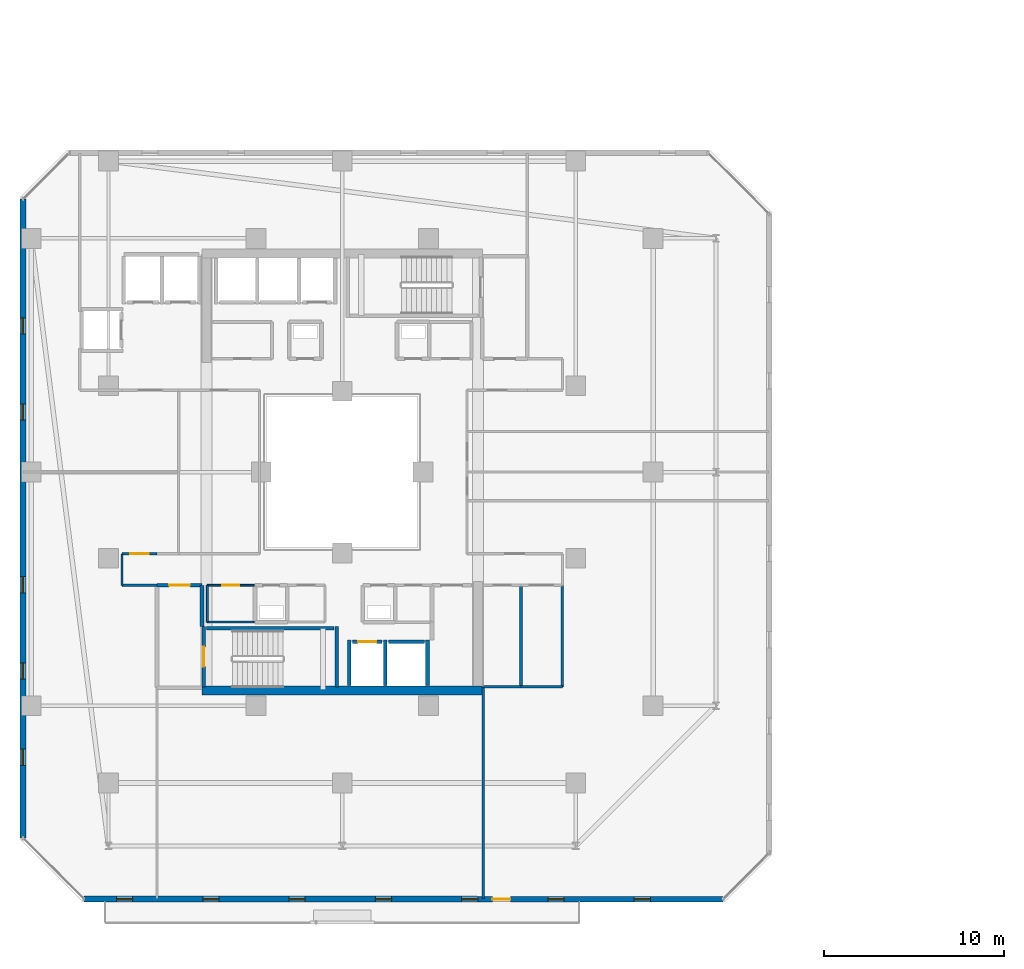
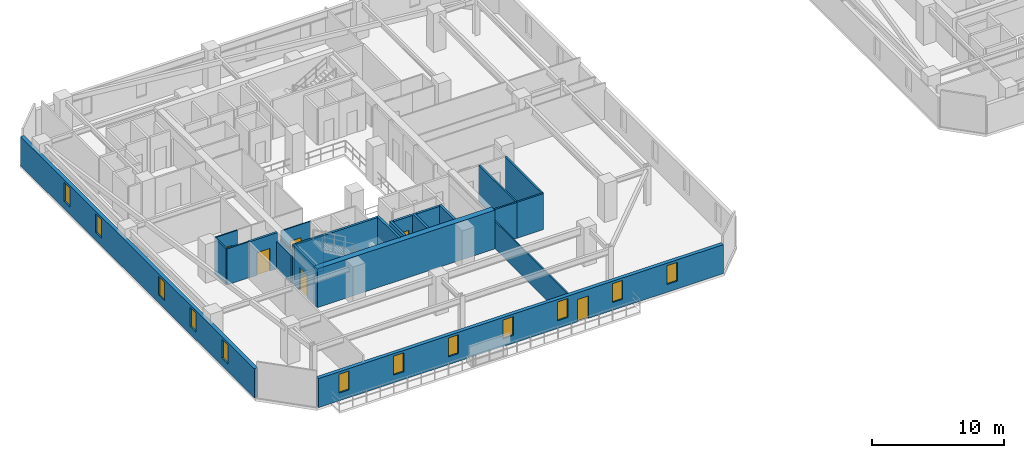
# One storey, part 19 of 33: 24 walls, 12 windows, 6 doors, 18 openings.
"""IFC4 building model written with IfcOpenShell, lengths in metres."""

from ifc_helpers import new_model, si_unit, direction, frame, frame_2d, origin, place, context, subcontext, project, spatial, rectangle, extrude, material, layer, layer_set, type_object, element, fill, save


model = new_model("IFC4")

# Units and contexts
model_context = context("Model", 3, precision=1e-05, world=origin(), true_north=direction((0.0, 1.0)))
body_context = subcontext(model_context, "Body", "Model", "MODEL_VIEW")
ifc_project = project(units=[si_unit("LENGTHUNIT", "METRE"), si_unit("AREAUNIT", "SQUARE_METRE"), si_unit("VOLUMEUNIT", "CUBIC_METRE"), si_unit("PLANEANGLEUNIT", "RADIAN"), si_unit("MASSUNIT", "GRAM", prefix="KILO")], contexts=[model_context])

# Site, building, storey
site_placement = place(None, origin())
site = spatial("IfcSite", under=ifc_project, at=site_placement, CompositionType="ELEMENT")
building_placement = place(site_placement, origin())
building = spatial("IfcBuilding", under=site, at=building_placement, Name="Thornwick Lancets Civic Towers", CompositionType="ELEMENT")
storey_placement = place(building_placement, frame((0.0, 0.0, 159.89990234375)))
storey = spatial("IfcBuildingStorey", under=building, at=storey_placement, Name="L42", CompositionType="ELEMENT", Elevation=159.89990234375)

# Wall, opening, door
ifc_material_1 = material(Name="Concrete blockwork C40/50", Category="masonry")
ifc_layer_1 = layer(ifc_material_1, 0.199951171875, Name="Concrete blockwork C40/50")
ifc_layer_set_1 = layer_set([ifc_layer_1], Name="Concrete blockwork C40/50")
wall_type_1 = type_object("IfcWallType", Name="WALL_COMP_200", PredefinedType="STANDARD", material=ifc_layer_set_1)
wall_1_placement = place(storey_placement, frame((26.080078125, 17.550048828125, 0.0), z_axis=(0.0, 0.0, 1.0), x_axis=(1.0, 0.0, 0.0)))
wall_1 = element("IfcWall", 1, at=wall_1_placement, inside=storey, type_object=wall_type_1, Name="L42 Hoistway Front Wall FL-A1", PredefinedType="STANDARD", context=body_context, shape_type="SweptSolid", body=[
    extrude(rectangle(XDim=1.639892578125, YDim=0.199951171875, at=frame_2d((0.81982421875, 0.0))), origin(), (0.0, 0.0, 1.0), 3.340087890625),
])
opening_1_placement = place(wall_1_placement, frame((0.31005859375, 0.0, 0.0)))
opening_1 = element("IfcOpeningElement", 2, at=opening_1_placement, cuts=wall_1, Name="Opening LD-FL-A1", PredefinedType="OPENING", context=body_context, shape_type="SweptSolid", body=[
    extrude(rectangle(XDim=1.02001953125, YDim=2.06005859375, at=frame_2d((0.510009765625, 1.030029296875))), frame((0.0, 0.10986328125, 0.0), z_axis=(0.0, -1.0, 0.0), x_axis=(1.0, 0.0, 0.0)), (0.0, 0.0, 1.0), 0.219970703125),
])
ifc_material_2 = material(Name="Brushed bronze stainless steel", Category="steel")
door_type_1 = type_object("IfcDoorType", Name="DOOR_LIFT_SLIDE", OperationType="SLIDING_TO_LEFT", PredefinedType="DOOR", material=ifc_material_2)
door_1_placement = place(opening_1_placement, origin())
door_1 = element("IfcDoor", 3, at=door_1_placement, inside=storey, type_object=door_type_1, Name="L42 Sliding Lift Landing Door LD-FL-A1", OperationType="SLIDING_TO_LEFT", OverallHeight=2.06005859375, OverallWidth=1.02001953125, PredefinedType="DOOR", context=body_context, shape_type="SweptSolid", body=[
    extrude(rectangle(XDim=1.02001953125, YDim=2.06005859375, at=frame_2d((0.510009765625, 1.030029296875))), frame((0.0, 0.02490234375, 0.0), z_axis=(0.0, -1.0, 0.0), x_axis=(1.0, 0.0, 0.0)), (0.0, 0.0, 1.0), 0.050048828125),
])
fill(opening_1, door_1)

# Walls
wall_2_placement = place(storey_placement, frame((28.080078125, 17.550048828125, 0.0), z_axis=(0.0, 0.0, 1.0), x_axis=(1.0, 0.0, 0.0)))
element("IfcWall", 4, at=wall_2_placement, inside=storey, type_object=wall_type_1, Name="L42 Hoistway Front Wall PL-AH1", PredefinedType="STANDARD", context=body_context, shape_type="SweptSolid", body=[
    extrude(rectangle(XDim=1.989990234375, YDim=0.199951171875, at=frame_2d((0.9951171875, 0.0))), origin(), (0.0, 0.0, 1.0), 3.340087890625),
])
for number, where, z_axis, x_axis, name in (
    (5, (27.89990234375, 15.112060546875, 0.0), (0.0, 0.0, 1.0), (0.0, 1.0, 0.0), "L42 Hoistway Shaft Wall FL-A1 E"),
    (6, (25.89990234375, 15.112060546875, 0.0), (0.0, 0.0, 1.0), (0.0, 1.0, 0.0), "L42 Hoistway Shaft Wall FL-A1 W"),
    (7, (30.25, 15.112060546875, 0.0), (0.0, 0.0, 1.0), (0.0, 1.0, 0.0), "L42 Hoistway Shaft Wall PL-AH1 E"),
):
    element("IfcWall", number, at=place(storey_placement, frame(where, z_axis=z_axis, x_axis=x_axis)), inside=storey, type_object=wall_type_1, Name=name, PredefinedType="STANDARD", context=body_context, shape_type="SweptSolid", body=[
        extrude(rectangle(XDim=2.535888671875, YDim=0.199951171875, at=frame_2d((1.26806640625, 0.0))), origin(), (0.0, 0.0, 1.0), 3.340087890625),
    ])
wall_3_placement = place(storey_placement, frame((17.699951171875, 18.39990234375, 0.0), z_axis=(0.0, 0.0, 1.0), x_axis=(0.0, 1.0, 0.0)))
element("IfcWall", 8, at=wall_3_placement, inside=storey, type_object=wall_type_1, Name="L42 Partition L42-A-FFLOB1 E2", PredefinedType="STANDARD", context=body_context, shape_type="SweptSolid", body=[
    extrude(rectangle(XDim=2.300048828125, YDim=0.199951171875, at=frame_2d((1.14990234375, 0.0))), origin(), (0.0, 0.0, 1.0), 2.545166015625),
])

# Wall, opening, door
wall_4_placement = place(storey_placement, frame((17.699951171875, 20.699951171875, 0.0), z_axis=(0.0, 0.0, 1.0), x_axis=(-1.0, 0.0, 0.0)))
wall_4 = element("IfcWall", 9, at=wall_4_placement, inside=storey, type_object=wall_type_1, Name="L42 Partition L42-A-FFLOB1 E3", PredefinedType="STANDARD", context=body_context, shape_type="SweptSolid", body=[
    extrude(rectangle(XDim=2.5, YDim=0.199951171875, at=frame_2d((1.25, 0.0))), origin(), (0.0, 0.0, 1.0), 3.340087890625),
])
opening_2_placement = place(wall_4_placement, frame((0.675048828125, 0.0, 0.0)))
opening_2 = element("IfcOpeningElement", 10, at=opening_2_placement, cuts=wall_4, Name="Opening D-L42-1865", PredefinedType="OPENING", context=body_context, shape_type="SweptSolid", body=[
    extrude(rectangle(XDim=1.14990234375, YDim=2.10009765625, at=frame_2d((0.574951171875, 1.050048828125))), frame((0.0, 0.10986328125, 0.0), z_axis=(0.0, -1.0, 0.0), x_axis=(1.0, 0.0, 0.0)), (0.0, 0.0, 1.0), 0.219970703125),
])
ifc_material_3 = material(Name="Glazed fire-resisting steel", Category="steel")
door_type_2 = type_object("IfcDoorType", Name="DOOR_LOBBY_FD60", OperationType="NOTDEFINED", PredefinedType="DOOR", material=ifc_material_3)
door_2_placement = place(opening_2_placement, origin())
door_2 = element("IfcDoor", 11, at=door_2_placement, inside=storey, type_object=door_type_2, Name="L42 South Firefighting Lobby 1 Door", OperationType="SINGLE_SWING_RIGHT", OverallHeight=2.10009765625, OverallWidth=1.14990234375, PredefinedType="DOOR", context=body_context, shape_type="SweptSolid", body=[
    extrude(rectangle(XDim=1.14990234375, YDim=2.10009765625, at=frame_2d((0.574951171875, 1.050048828125))), frame((0.0, 0.02490234375, 0.0), z_axis=(0.0, -1.0, 0.0), x_axis=(1.0, 0.0, 0.0)), (0.0, 0.0, 1.0), 0.050048828125),
])
fill(opening_2, door_2)

# Wall
ifc_material_4 = material(Name="Concrete C50/60", Category="concrete")
ifc_layer_2 = layer(ifc_material_4, 0.5, Name="Concrete C50/60")
ifc_layer_set_2 = layer_set([ifc_layer_2], Name="Concrete C50/60")
wall_type_2 = type_object("IfcWallType", Name="WALL_CORE_500", PredefinedType="SHEAR", material=ifc_layer_set_2)
wall_5_placement = place(storey_placement, frame((17.699951171875, 14.85009765625, 0.0), z_axis=(0.0, 0.0, 1.0), x_axis=(1.0, 0.0, 0.0)))
element("IfcWall", 12, at=wall_5_placement, inside=storey, type_object=wall_type_2, Name="L42 Split Core A1 Shear Wall S", PredefinedType="SHEAR", context=body_context, shape_type="SweptSolid", body=[
    extrude(rectangle(XDim=15.60009765625, YDim=0.5, at=frame_2d((7.800048828125, 0.0))), origin(), (0.0, 0.0, 1.0), 3.60009765625),
])

# Wall, openings, door, windows
ifc_material_5 = material(Name="Insulated buff terracotta rainscreen on concrete C40/50", Category="masonry")
ifc_layer_3 = layer(ifc_material_5, 0.320068359375, Name="Insulated buff terracotta rainscreen on concrete C40/50")
ifc_layer_set_3 = layer_set([ifc_layer_3], Name="Insulated buff terracotta rainscreen on concrete C40/50")
wall_type_3 = type_object("IfcWallType", Name="WALL_EXT_TERRA_320", PredefinedType="STANDARD", material=ifc_layer_set_3)
wall_6_placement = place(storey_placement, frame((11.146484375, 3.238037109375, 0.0), z_axis=(0.0, 0.0, 1.0), x_axis=(0.999999997144, -7.5574884e-05, 0.0)))
wall_6 = element("IfcWall", 13, at=wall_6_placement, inside=storey, type_object=wall_type_3, Name="L42 Tower A Terracotta Facade Wall E0", PredefinedType="STANDARD", context=body_context, shape_type="SweptSolid", body=[
    extrude(rectangle(XDim=35.534912109375, YDim=0.320068359375, at=frame_2d((17.767578125, 0.0))), origin(), (0.0, 0.0, 1.0), 2.7001953125),
])
opening_3_placement = place(wall_6_placement, frame((22.717529296875, 0.0, 0.0)))
opening_3 = element("IfcOpeningElement", 14, at=opening_3_placement, cuts=wall_6, Name="Opening D-BL-L42-AS", PredefinedType="OPENING", context=body_context, shape_type="SweptSolid", body=[
    extrude(rectangle(XDim=1.0, YDim=2.080078125, at=frame_2d((0.5, 1.0400390625))), frame((0.0, 0.169921875, 0.0), z_axis=(0.0, -1.0, 0.0), x_axis=(1.0, 0.0, 0.0)), (0.0, 0.0, 1.0), 0.340087890625),
])
opening_4_placement = place(wall_6_placement, frame((1.800048828125, 0.0, 0.719970703125)))
opening_4 = element("IfcOpeningElement", 15, at=opening_4_placement, cuts=wall_6, Name="Opening WL-01", PredefinedType="OPENING", context=body_context, shape_type="SweptSolid", body=[
    extrude(rectangle(XDim=0.89990234375, YDim=1.75, at=frame_2d((0.449951171875, 0.875))), frame((0.0, 0.169921875, 0.0), z_axis=(0.0, -1.0, 0.0), x_axis=(1.0, 0.0, 0.0)), (0.0, 0.0, 1.0), 0.340087890625),
])
opening_5_placement = place(wall_6_placement, frame((6.60009765625, 0.0, 0.719970703125)))
opening_5 = element("IfcOpeningElement", 16, at=opening_5_placement, cuts=wall_6, Name="Opening WL-01", PredefinedType="OPENING", context=body_context, shape_type="SweptSolid", body=[
    extrude(rectangle(XDim=0.89990234375, YDim=1.75, at=frame_2d((0.449951171875, 0.875))), frame((0.0, 0.169921875, 0.0), z_axis=(0.0, -1.0, 0.0), x_axis=(1.0, 0.0, 0.0)), (0.0, 0.0, 1.0), 0.340087890625),
])
opening_6_placement = place(wall_6_placement, frame((11.39990234375, 0.0, 0.719970703125)))
opening_6 = element("IfcOpeningElement", 17, at=opening_6_placement, cuts=wall_6, Name="Opening WL-01", PredefinedType="OPENING", context=body_context, shape_type="SweptSolid", body=[
    extrude(rectangle(XDim=0.89990234375, YDim=1.75, at=frame_2d((0.449951171875, 0.875))), frame((0.0, 0.169921875, 0.0), z_axis=(0.0, -1.0, 0.0), x_axis=(1.0, 0.0, 0.0)), (0.0, 0.0, 1.0), 0.340087890625),
])
opening_7_placement = place(wall_6_placement, frame((16.199951171875, 0.0, 0.719970703125)))
opening_7 = element("IfcOpeningElement", 18, at=opening_7_placement, cuts=wall_6, Name="Opening WL-01", PredefinedType="OPENING", context=body_context, shape_type="SweptSolid", body=[
    extrude(rectangle(XDim=0.89990234375, YDim=1.75, at=frame_2d((0.449951171875, 0.875))), frame((0.0, 0.169921875, 0.0), z_axis=(0.0, -1.0, 0.0), x_axis=(1.0, 0.0, 0.0)), (0.0, 0.0, 1.0), 0.340087890625),
])
opening_8_placement = place(wall_6_placement, frame((21.0, 0.0, 0.719970703125)))
opening_8 = element("IfcOpeningElement", 19, at=opening_8_placement, cuts=wall_6, Name="Opening WL-01", PredefinedType="OPENING", context=body_context, shape_type="SweptSolid", body=[
    extrude(rectangle(XDim=0.89990234375, YDim=1.75, at=frame_2d((0.449951171875, 0.875))), frame((0.0, 0.169921875, 0.0), z_axis=(0.0, -1.0, 0.0), x_axis=(1.0, 0.0, 0.0)), (0.0, 0.0, 1.0), 0.340087890625),
])
opening_9_placement = place(wall_6_placement, frame((25.800048828125, 0.0, 0.719970703125)))
opening_9 = element("IfcOpeningElement", 20, at=opening_9_placement, cuts=wall_6, Name="Opening WL-01", PredefinedType="OPENING", context=body_context, shape_type="SweptSolid", body=[
    extrude(rectangle(XDim=0.89990234375, YDim=1.75, at=frame_2d((0.449951171875, 0.875))), frame((0.0, 0.169921875, 0.0), z_axis=(0.0, -1.0, 0.0), x_axis=(1.0, 0.0, 0.0)), (0.0, 0.0, 1.0), 0.340087890625),
])
opening_10_placement = place(wall_6_placement, frame((30.60009765625, 0.0, 0.719970703125)))
opening_10 = element("IfcOpeningElement", 21, at=opening_10_placement, cuts=wall_6, Name="Opening WL-01", PredefinedType="OPENING", context=body_context, shape_type="SweptSolid", body=[
    extrude(rectangle(XDim=0.89990234375, YDim=1.75, at=frame_2d((0.449951171875, 0.875))), frame((0.0, 0.169921875, 0.0), z_axis=(0.0, -1.0, 0.0), x_axis=(1.0, 0.0, 0.0)), (0.0, 0.0, 1.0), 0.340087890625),
])
ifc_material_6 = material(Name="Thermally broken glazed loggia doorset")
door_type_3 = type_object("IfcDoorType", Name="DOOR_BALC_1000", OperationType="NOTDEFINED", PredefinedType="DOOR", material=ifc_material_6)
door_3_placement = place(opening_3_placement, origin())
door_3 = element("IfcDoor", 22, at=door_3_placement, inside=storey, type_object=door_type_3, Name="L42 Tower A Loggia Balcony Door S", OperationType="SINGLE_SWING_LEFT", OverallHeight=2.080078125, OverallWidth=1.0, PredefinedType="DOOR", context=body_context, shape_type="SweptSolid", body=[
    extrude(rectangle(XDim=1.0, YDim=2.080078125, at=frame_2d((0.5, 1.0400390625))), frame((0.0, 0.02490234375, 0.0), z_axis=(0.0, -1.0, 0.0), x_axis=(1.0, 0.0, 0.0)), (0.0, 0.0, 1.0), 0.050048828125),
])
fill(opening_3, door_3)
ifc_material_7 = material(Name="Clear low-e double glazing in bronze frame", Category="glass")
window_type = type_object("IfcWindowType", Name="WIN_LANCET_900", PartitioningType="SINGLE_PANEL", PredefinedType="WINDOW", material=ifc_material_7)
window_1_placement = place(opening_4_placement, origin())
window_1 = element("IfcWindow", 23, at=window_1_placement, inside=storey, type_object=window_type, Name="L42 Tower A Staggered Lancet Window E0-1", OverallHeight=1.75, OverallWidth=0.89990234375, PartitioningType="SINGLE_PANEL", PredefinedType="WINDOW", context=body_context, shape_type="SweptSolid", body=[
    extrude(rectangle(XDim=0.89990234375, YDim=1.75, at=frame_2d((0.449951171875, 0.875))), frame((0.0, 0.030029296875, 0.0), z_axis=(0.0, -1.0, 0.0), x_axis=(1.0, 0.0, 0.0)), (0.0, 0.0, 1.0), 0.06005859375),
])
fill(opening_4, window_1)
window_2_placement = place(opening_5_placement, origin())
window_2 = element("IfcWindow", 24, at=window_2_placement, inside=storey, type_object=window_type, Name="L42 Tower A Staggered Lancet Window E0-2", OverallHeight=1.75, OverallWidth=0.89990234375, PartitioningType="SINGLE_PANEL", PredefinedType="WINDOW", context=body_context, shape_type="SweptSolid", body=[
    extrude(rectangle(XDim=0.89990234375, YDim=1.75, at=frame_2d((0.449951171875, 0.875))), frame((0.0, 0.030029296875, 0.0), z_axis=(0.0, -1.0, 0.0), x_axis=(1.0, 0.0, 0.0)), (0.0, 0.0, 1.0), 0.06005859375),
])
fill(opening_5, window_2)
window_3_placement = place(opening_6_placement, origin())
window_3 = element("IfcWindow", 25, at=window_3_placement, inside=storey, type_object=window_type, Name="L42 Tower A Staggered Lancet Window E0-3", OverallHeight=1.75, OverallWidth=0.89990234375, PartitioningType="SINGLE_PANEL", PredefinedType="WINDOW", context=body_context, shape_type="SweptSolid", body=[
    extrude(rectangle(XDim=0.89990234375, YDim=1.75, at=frame_2d((0.449951171875, 0.875))), frame((0.0, 0.030029296875, 0.0), z_axis=(0.0, -1.0, 0.0), x_axis=(1.0, 0.0, 0.0)), (0.0, 0.0, 1.0), 0.06005859375),
])
fill(opening_6, window_3)
window_4_placement = place(opening_7_placement, origin())
window_4 = element("IfcWindow", 26, at=window_4_placement, inside=storey, type_object=window_type, Name="L42 Tower A Staggered Lancet Window E0-4", OverallHeight=1.75, OverallWidth=0.89990234375, PartitioningType="SINGLE_PANEL", PredefinedType="WINDOW", context=body_context, shape_type="SweptSolid", body=[
    extrude(rectangle(XDim=0.89990234375, YDim=1.75, at=frame_2d((0.449951171875, 0.875))), frame((0.0, 0.030029296875, 0.0), z_axis=(0.0, -1.0, 0.0), x_axis=(1.0, 0.0, 0.0)), (0.0, 0.0, 1.0), 0.06005859375),
])
fill(opening_7, window_4)
window_5_placement = place(opening_8_placement, origin())
window_5 = element("IfcWindow", 27, at=window_5_placement, inside=storey, type_object=window_type, Name="L42 Tower A Staggered Lancet Window E0-5", OverallHeight=1.75, OverallWidth=0.89990234375, PartitioningType="SINGLE_PANEL", PredefinedType="WINDOW", context=body_context, shape_type="SweptSolid", body=[
    extrude(rectangle(XDim=0.89990234375, YDim=1.75, at=frame_2d((0.449951171875, 0.875))), frame((0.0, 0.030029296875, 0.0), z_axis=(0.0, -1.0, 0.0), x_axis=(1.0, 0.0, 0.0)), (0.0, 0.0, 1.0), 0.06005859375),
])
fill(opening_8, window_5)
window_6_placement = place(opening_9_placement, origin())
window_6 = element("IfcWindow", 28, at=window_6_placement, inside=storey, type_object=window_type, Name="L42 Tower A Staggered Lancet Window E0-6", OverallHeight=1.75, OverallWidth=0.89990234375, PartitioningType="SINGLE_PANEL", PredefinedType="WINDOW", context=body_context, shape_type="SweptSolid", body=[
    extrude(rectangle(XDim=0.89990234375, YDim=1.75, at=frame_2d((0.449951171875, 0.875))), frame((0.0, 0.030029296875, 0.0), z_axis=(0.0, -1.0, 0.0), x_axis=(1.0, 0.0, 0.0)), (0.0, 0.0, 1.0), 0.06005859375),
])
fill(opening_9, window_6)
window_7_placement = place(opening_10_placement, origin())
window_7 = element("IfcWindow", 29, at=window_7_placement, inside=storey, type_object=window_type, Name="L42 Tower A Staggered Lancet Window E0-7", OverallHeight=1.75, OverallWidth=0.89990234375, PartitioningType="SINGLE_PANEL", PredefinedType="WINDOW", context=body_context, shape_type="SweptSolid", body=[
    extrude(rectangle(XDim=0.89990234375, YDim=1.75, at=frame_2d((0.449951171875, 0.875))), frame((0.0, 0.030029296875, 0.0), z_axis=(0.0, -1.0, 0.0), x_axis=(1.0, 0.0, 0.0)), (0.0, 0.0, 1.0), 0.06005859375),
])
fill(opening_10, window_7)

# Wall, openings, windows
wall_7_placement = place(storey_placement, frame((7.7353515625, 42.181396484375, 0.0), z_axis=(0.0, 0.0, 1.0), x_axis=(7.5574884e-05, -0.999999997144, 0.0)))
wall_7 = element("IfcWall", 30, at=wall_7_placement, inside=storey, type_object=wall_type_3, Name="L42 Tower A Terracotta Facade Wall E6", PredefinedType="STANDARD", context=body_context, shape_type="SweptSolid", body=[
    extrude(rectangle(XDim=35.534912109375, YDim=0.320068359375, at=frame_2d((17.767578125, 0.0))), origin(), (0.0, 0.0, 1.0), 2.7001953125),
])
opening_11_placement = place(wall_7_placement, frame((6.60009765625, 0.0, 0.719970703125)))
opening_11 = element("IfcOpeningElement", 31, at=opening_11_placement, cuts=wall_7, Name="Opening WL-01", PredefinedType="OPENING", context=body_context, shape_type="SweptSolid", body=[
    extrude(rectangle(XDim=0.89990234375, YDim=1.75, at=frame_2d((0.449951171875, 0.875))), frame((0.0, 0.169921875, 0.0), z_axis=(0.0, -1.0, 0.0), x_axis=(1.0, 0.0, 0.0)), (0.0, 0.0, 1.0), 0.340087890625),
])
opening_12_placement = place(wall_7_placement, frame((11.39990234375, 0.0, 0.719970703125)))
opening_12 = element("IfcOpeningElement", 32, at=opening_12_placement, cuts=wall_7, Name="Opening WL-01", PredefinedType="OPENING", context=body_context, shape_type="SweptSolid", body=[
    extrude(rectangle(XDim=0.89990234375, YDim=1.75, at=frame_2d((0.449951171875, 0.875))), frame((0.0, 0.169921875, 0.0), z_axis=(0.0, -1.0, 0.0), x_axis=(1.0, 0.0, 0.0)), (0.0, 0.0, 1.0), 0.340087890625),
])
opening_13_placement = place(wall_7_placement, frame((21.0, 0.0, 0.719970703125)))
opening_13 = element("IfcOpeningElement", 33, at=opening_13_placement, cuts=wall_7, Name="Opening WL-01", PredefinedType="OPENING", context=body_context, shape_type="SweptSolid", body=[
    extrude(rectangle(XDim=0.89990234375, YDim=1.75, at=frame_2d((0.449951171875, 0.875))), frame((0.0, 0.169921875, 0.0), z_axis=(0.0, -1.0, 0.0), x_axis=(1.0, 0.0, 0.0)), (0.0, 0.0, 1.0), 0.340087890625),
])
opening_14_placement = place(wall_7_placement, frame((25.800048828125, 0.0, 0.719970703125)))
opening_14 = element("IfcOpeningElement", 34, at=opening_14_placement, cuts=wall_7, Name="Opening WL-01", PredefinedType="OPENING", context=body_context, shape_type="SweptSolid", body=[
    extrude(rectangle(XDim=0.89990234375, YDim=1.75, at=frame_2d((0.449951171875, 0.875))), frame((0.0, 0.169921875, 0.0), z_axis=(0.0, -1.0, 0.0), x_axis=(1.0, 0.0, 0.0)), (0.0, 0.0, 1.0), 0.340087890625),
])
opening_15_placement = place(wall_7_placement, frame((30.60009765625, 0.0, 0.719970703125)))
opening_15 = element("IfcOpeningElement", 35, at=opening_15_placement, cuts=wall_7, Name="Opening WL-01", PredefinedType="OPENING", context=body_context, shape_type="SweptSolid", body=[
    extrude(rectangle(XDim=0.89990234375, YDim=1.75, at=frame_2d((0.449951171875, 0.875))), frame((0.0, 0.169921875, 0.0), z_axis=(0.0, -1.0, 0.0), x_axis=(1.0, 0.0, 0.0)), (0.0, 0.0, 1.0), 0.340087890625),
])
window_8_placement = place(opening_11_placement, origin())
window_8 = element("IfcWindow", 36, at=window_8_placement, inside=storey, type_object=window_type, Name="L42 Tower A Staggered Lancet Window E6-1", OverallHeight=1.75, OverallWidth=0.89990234375, PartitioningType="SINGLE_PANEL", PredefinedType="WINDOW", context=body_context, shape_type="SweptSolid", body=[
    extrude(rectangle(XDim=0.89990234375, YDim=1.75, at=frame_2d((0.449951171875, 0.875))), frame((0.0, 0.030029296875, 0.0), z_axis=(0.0, -1.0, 0.0), x_axis=(1.0, 0.0, 0.0)), (0.0, 0.0, 1.0), 0.06005859375),
])
fill(opening_11, window_8)
window_9_placement = place(opening_12_placement, origin())
window_9 = element("IfcWindow", 37, at=window_9_placement, inside=storey, type_object=window_type, Name="L42 Tower A Staggered Lancet Window E6-2", OverallHeight=1.75, OverallWidth=0.89990234375, PartitioningType="SINGLE_PANEL", PredefinedType="WINDOW", context=body_context, shape_type="SweptSolid", body=[
    extrude(rectangle(XDim=0.89990234375, YDim=1.75, at=frame_2d((0.449951171875, 0.875))), frame((0.0, 0.030029296875, 0.0), z_axis=(0.0, -1.0, 0.0), x_axis=(1.0, 0.0, 0.0)), (0.0, 0.0, 1.0), 0.06005859375),
])
fill(opening_12, window_9)
window_10_placement = place(opening_13_placement, origin())
window_10 = element("IfcWindow", 38, at=window_10_placement, inside=storey, type_object=window_type, Name="L42 Tower A Staggered Lancet Window E6-3", OverallHeight=1.75, OverallWidth=0.89990234375, PartitioningType="SINGLE_PANEL", PredefinedType="WINDOW", context=body_context, shape_type="SweptSolid", body=[
    extrude(rectangle(XDim=0.89990234375, YDim=1.75, at=frame_2d((0.449951171875, 0.875))), frame((0.0, 0.030029296875, 0.0), z_axis=(0.0, -1.0, 0.0), x_axis=(1.0, 0.0, 0.0)), (0.0, 0.0, 1.0), 0.06005859375),
])
fill(opening_13, window_10)
window_11_placement = place(opening_14_placement, origin())
window_11 = element("IfcWindow", 39, at=window_11_placement, inside=storey, type_object=window_type, Name="L42 Tower A Staggered Lancet Window E6-4", OverallHeight=1.75, OverallWidth=0.89990234375, PartitioningType="SINGLE_PANEL", PredefinedType="WINDOW", context=body_context, shape_type="SweptSolid", body=[
    extrude(rectangle(XDim=0.89990234375, YDim=1.75, at=frame_2d((0.449951171875, 0.875))), frame((0.0, 0.030029296875, 0.0), z_axis=(0.0, -1.0, 0.0), x_axis=(1.0, 0.0, 0.0)), (0.0, 0.0, 1.0), 0.06005859375),
])
fill(opening_14, window_11)
window_12_placement = place(opening_15_placement, origin())
window_12 = element("IfcWindow", 40, at=window_12_placement, inside=storey, type_object=window_type, Name="L42 Tower A Staggered Lancet Window E6-5", OverallHeight=1.75, OverallWidth=0.89990234375, PartitioningType="SINGLE_PANEL", PredefinedType="WINDOW", context=body_context, shape_type="SweptSolid", body=[
    extrude(rectangle(XDim=0.89990234375, YDim=1.75, at=frame_2d((0.449951171875, 0.875))), frame((0.0, 0.030029296875, 0.0), z_axis=(0.0, -1.0, 0.0), x_axis=(1.0, 0.0, 0.0)), (0.0, 0.0, 1.0), 0.06005859375),
])
fill(opening_15, window_12)

# Wall
ifc_material_8 = material(Name="Lightweight cellular office partition")
ifc_layer_4 = layer(ifc_material_8, 0.10009765625, Name="Lightweight cellular office partition")
ifc_layer_set_4 = layer_set([ifc_layer_4], Name="Lightweight cellular office partition")
wall_type_4 = type_object("IfcWallType", Name="WALL_PART_100", PredefinedType="PARTITIONING", material=ifc_layer_set_4)
wall_8_placement = place(storey_placement, frame((18.0, 18.64990234375, 0.0), z_axis=(0.0, 0.0, 1.0), x_axis=(1.0, 0.0, 0.0)))
element("IfcWall", 41, at=wall_8_placement, inside=storey, type_object=wall_type_4, Name="L42 Partition L42-A-CLN E1", PredefinedType="PARTITIONING", context=body_context, shape_type="SweptSolid", body=[
    extrude(rectangle(XDim=2.60009765625, YDim=0.10009765625, at=frame_2d((1.300048828125, 0.0))), origin(), (0.0, 0.0, 1.0), 3.340087890625),
])

# Wall, opening, door
wall_9_placement = place(storey_placement, frame((20.60009765625, 20.699951171875, 0.0), z_axis=(0.0, 0.0, 1.0), x_axis=(-1.0, 0.0, 0.0)))
wall_9 = element("IfcWall", 42, at=wall_9_placement, inside=storey, type_object=wall_type_4, Name="L42 Partition L42-A-CLN E3", PredefinedType="PARTITIONING", context=body_context, shape_type="SweptSolid", body=[
    extrude(rectangle(XDim=2.60009765625, YDim=0.10009765625, at=frame_2d((1.300048828125, 0.0))), origin(), (0.0, 0.0, 1.0), 3.340087890625),
])
opening_16_placement = place(wall_9_placement, frame((0.824951171875, 0.0, 0.0)))
opening_16 = element("IfcOpeningElement", 43, at=opening_16_placement, cuts=wall_9, Name="Opening D-L42-1871", PredefinedType="OPENING", context=body_context, shape_type="SweptSolid", body=[
    extrude(rectangle(XDim=0.949951171875, YDim=2.10009765625, at=frame_2d((0.47509765625, 1.050048828125))), frame((0.0, 0.06005859375, 0.0), z_axis=(0.0, -1.0, 0.0), x_axis=(1.0, 0.0, 0.0)), (0.0, 0.0, 1.0), 0.1201171875),
])
ifc_material_9 = material(Name="European oak acoustic doorset")
door_type_4 = type_object("IfcDoorType", Name="DOOR_OFFICE_950", OperationType="NOTDEFINED", PredefinedType="DOOR", material=ifc_material_9)
door_4_placement = place(opening_16_placement, origin())
door_4 = element("IfcDoor", 44, at=door_4_placement, inside=storey, type_object=door_type_4, Name="L42 Tower A Cleaners Store Door", OperationType="SINGLE_SWING_RIGHT", OverallHeight=2.10009765625, OverallWidth=0.949951171875, PredefinedType="DOOR", context=body_context, shape_type="SweptSolid", body=[
    extrude(rectangle(XDim=0.949951171875, YDim=2.10009765625, at=frame_2d((0.47509765625, 1.050048828125))), frame((0.0, 0.02490234375, 0.0), z_axis=(0.0, -1.0, 0.0), x_axis=(1.0, 0.0, 0.0)), (0.0, 0.0, 1.0), 0.050048828125),
])
fill(opening_16, door_4)

# Wall
wall_10_placement = place(storey_placement, frame((18.0, 20.699951171875, 0.0), z_axis=(0.0, 0.0, 1.0), x_axis=(0.0, -1.0, 0.0)))
element("IfcWall", 45, at=wall_10_placement, inside=storey, type_object=wall_type_4, Name="L42 Partition L42-A-CLN E4", PredefinedType="PARTITIONING", context=body_context, shape_type="SweptSolid", body=[
    extrude(rectangle(XDim=2.050048828125, YDim=0.10009765625, at=frame_2d((1.02490234375, 0.0))), origin(), (0.0, 0.0, 1.0), 2.545166015625),
])

# Wall, opening, door
ifc_material_10 = material(Name="Acoustic gypsum board partition")
ifc_layer_5 = layer(ifc_material_10, 0.1201171875, Name="Acoustic gypsum board partition")
ifc_layer_set_5 = layer_set([ifc_layer_5], Name="Acoustic gypsum board partition")
wall_type_5 = type_object("IfcWallType", Name="WALL_PART_120", PredefinedType="PARTITIONING", material=ifc_layer_set_5)
wall_11_placement = place(storey_placement, frame((15.199951171875, 22.449951171875, 0.0), z_axis=(0.0, 0.0, 1.0), x_axis=(-1.0, 0.0, 0.0)))
wall_11 = element("IfcWall", 46, at=wall_11_placement, inside=storey, type_object=wall_type_5, Name="L42 Partition L42-A-W1 E3", PredefinedType="PARTITIONING", context=body_context, shape_type="SweptSolid", body=[
    extrude(rectangle(XDim=1.949951171875, YDim=0.1201171875, at=frame_2d((0.97509765625, 0.0))), origin(), (0.0, 0.0, 1.0), 3.340087890625),
])
opening_17_placement = place(wall_11_placement, frame((0.449951171875, 0.0, 0.0)))
opening_17 = element("IfcOpeningElement", 47, at=opening_17_placement, cuts=wall_11, Name="Opening D-L42-1891", PredefinedType="OPENING", context=body_context, shape_type="SweptSolid", body=[
    extrude(rectangle(XDim=1.050048828125, YDim=2.10009765625, at=frame_2d((0.52490234375, 1.050048828125))), frame((0.0, 0.070068359375, 0.0), z_axis=(0.0, -1.0, 0.0), x_axis=(1.0, 0.0, 0.0)), (0.0, 0.0, 1.0), 0.14013671875),
])
ifc_material_11 = material(Name="Glazed European oak executive doorset")
door_type_5 = type_object("IfcDoorType", Name="DOOR_OFFICE_1050", OperationType="NOTDEFINED", PredefinedType="DOOR", material=ifc_material_11)
door_5_placement = place(opening_17_placement, origin())
door_5 = element("IfcDoor", 48, at=door_5_placement, inside=storey, type_object=door_type_5, Name="L42 Tower A Ministry Directorate Office W1 Door", OperationType="SINGLE_SWING_RIGHT", OverallHeight=2.10009765625, OverallWidth=1.050048828125, PredefinedType="DOOR", context=body_context, shape_type="SweptSolid", body=[
    extrude(rectangle(XDim=1.050048828125, YDim=2.10009765625, at=frame_2d((0.52490234375, 1.050048828125))), frame((0.0, 0.02490234375, 0.0), z_axis=(0.0, -1.0, 0.0), x_axis=(1.0, 0.0, 0.0)), (0.0, 0.0, 1.0), 0.050048828125),
])
fill(opening_17, door_5)

# Walls
wall_12_placement = place(storey_placement, frame((13.25, 22.449951171875, 0.0), z_axis=(0.0, 0.0, 1.0), x_axis=(0.0, -1.0, 0.0)))
element("IfcWall", 49, at=wall_12_placement, inside=storey, type_object=wall_type_5, Name="L42 Partition L42-A-W1 E4", PredefinedType="PARTITIONING", context=body_context, shape_type="SweptSolid", body=[
    extrude(rectangle(XDim=1.75, YDim=0.1201171875, at=frame_2d((0.875, 0.0))), origin(), (0.0, 0.0, 1.0), 3.340087890625),
])
wall_13_placement = place(storey_placement, frame((13.25, 20.699951171875, 0.0), z_axis=(0.0, 0.0, 1.0), x_axis=(1.0, 0.0, 0.0)))
element("IfcWall", 50, at=wall_13_placement, inside=storey, type_object=wall_type_5, Name="L42 Partition L42-A-W1 E5", PredefinedType="PARTITIONING", context=body_context, shape_type="SweptSolid", body=[
    extrude(rectangle(XDim=1.949951171875, YDim=0.1201171875, at=frame_2d((0.97509765625, 0.0))), origin(), (0.0, 0.0, 1.0), 3.340087890625),
])
wall_14_placement = place(storey_placement, frame((33.35009765625, 3.280029296875, 0.0), z_axis=(0.0, 0.0, 1.0), x_axis=(0.0, 1.0, 0.0)))
element("IfcWall", 51, at=wall_14_placement, inside=storey, type_object=wall_type_5, Name="L42 Partition L42-A-E1 E2", PredefinedType="PARTITIONING", context=body_context, shape_type="SweptSolid", body=[
    extrude(rectangle(XDim=11.77001953125, YDim=0.1201171875, at=frame_2d((5.885009765625, 0.0))), origin(), (0.0, 0.0, 1.0), 2.545166015625),
])
ifc_material_12 = material(Name="Twin-stud acoustic gypsum board")
ifc_layer_6 = layer(ifc_material_12, 0.14990234375, Name="Twin-stud acoustic gypsum board")
ifc_layer_set_6 = layer_set([ifc_layer_6], Name="Twin-stud acoustic gypsum board")
wall_type_6 = type_object("IfcWallType", Name="WALL_PART_150", PredefinedType="PARTITIONING", material=ifc_layer_set_6)
wall_15_placement = place(storey_placement, frame((35.449951171875, 15.050048828125, 0.0), z_axis=(0.0, 0.0, 1.0), x_axis=(-1.0, 0.0, 0.0)))
element("IfcWall", 52, at=wall_15_placement, inside=storey, type_object=wall_type_6, Name="L42 Partition L42-A-RECLAIM-L1 E1", PredefinedType="PARTITIONING", context=body_context, shape_type="SweptSolid", body=[
    extrude(rectangle(XDim=2.099853515625, YDim=0.14990234375, at=frame_2d((1.0498046875, 0.0))), origin(), (0.0, 0.0, 1.0), 3.340087890625),
])
wall_16_placement = place(storey_placement, frame((35.449951171875, 20.699951171875, 0.0), z_axis=(0.0, 0.0, 1.0), x_axis=(0.0, -1.0, 0.0)))
element("IfcWall", 53, at=wall_16_placement, inside=storey, type_object=wall_type_6, Name="L42 Partition L42-A-RECLAIM-L1 E4", PredefinedType="PARTITIONING", context=body_context, shape_type="SweptSolid", body=[
    extrude(rectangle(XDim=5.64990234375, YDim=0.14990234375, at=frame_2d((2.824951171875, 0.0))), origin(), (0.0, 0.0, 1.0), 3.340087890625),
])
wall_17_placement = place(storey_placement, frame((37.75, 15.050048828125, 0.0), z_axis=(0.0, 0.0, 1.0), x_axis=(-1.0, 0.0, 0.0)))
element("IfcWall", 54, at=wall_17_placement, inside=storey, type_object=wall_type_6, Name="L42 Partition L42-A-RECLAIM-L2 E1", PredefinedType="PARTITIONING", context=body_context, shape_type="SweptSolid", body=[
    extrude(rectangle(XDim=2.300048828125, YDim=0.14990234375, at=frame_2d((1.14990234375, 0.0))), origin(), (0.0, 0.0, 1.0), 3.340087890625),
])
wall_18_placement = place(storey_placement, frame((37.75, 20.699951171875, 0.0), z_axis=(0.0, 0.0, 1.0), x_axis=(0.0, -1.0, 0.0)))
element("IfcWall", 55, at=wall_18_placement, inside=storey, type_object=wall_type_6, Name="L42 Partition L42-A-RECLAIM-L2 E4", PredefinedType="PARTITIONING", context=body_context, shape_type="SweptSolid", body=[
    extrude(rectangle(XDim=5.64990234375, YDim=0.14990234375, at=frame_2d((2.824951171875, 0.0))), origin(), (0.0, 0.0, 1.0), 3.340087890625),
])

# Wall, opening, door
ifc_material_13 = material(Name="Concrete C40/50", Category="concrete")
ifc_layer_7 = layer(ifc_material_13, 0.199951171875, Name="Concrete C40/50")
ifc_layer_set_7 = layer_set([ifc_layer_7], Name="Concrete C40/50")
wall_type_7 = type_object("IfcWallType", Name="WALL_SHAFT_200", PredefinedType="SHEAR", material=ifc_layer_set_7)
wall_19_placement = place(storey_placement, frame((17.800048828125, 15.050048828125, 0.0), z_axis=(0.0, 0.0, 1.0), x_axis=(0.0, 1.0, 0.0)))
wall_19 = element("IfcWall", 56, at=wall_19_placement, inside=storey, type_object=wall_type_7, Name="L42 ST-A1 Fire Stair Core Wall NEAR", PredefinedType="SHEAR", context=body_context, shape_type="SweptSolid", body=[
    extrude(rectangle(XDim=3.349853515625, YDim=0.199951171875, at=frame_2d((1.6748046875, 0.0))), origin(), (0.0, 0.0, 1.0), 3.60009765625),
])
opening_18_placement = place(wall_19_placement, frame((1.125, 0.0, 0.0)))
opening_18 = element("IfcOpeningElement", 57, at=opening_18_placement, cuts=wall_19, Name="Opening D-ST-A1-L42", PredefinedType="OPENING", context=body_context, shape_type="SweptSolid", body=[
    extrude(rectangle(XDim=1.10009765625, YDim=2.10009765625, at=frame_2d((0.550048828125, 1.050048828125))), frame((0.0, 0.10986328125, 0.0), z_axis=(0.0, -1.0, 0.0), x_axis=(1.0, 0.0, 0.0)), (0.0, 0.0, 1.0), 0.219970703125),
])
ifc_material_14 = material(Name="Fire-resisting steel and hardwood", Category="steel")
door_type_6 = type_object("IfcDoorType", Name="DOOR_STAIR_FD60", OperationType="NOTDEFINED", PredefinedType="DOOR", material=ifc_material_14)
door_6_placement = place(opening_18_placement, origin())
door_6 = element("IfcDoor", 58, at=door_6_placement, inside=storey, type_object=door_type_6, Name="L42 ST-A1 Exit Stair Door", OperationType="SINGLE_SWING_RIGHT", OverallHeight=2.10009765625, OverallWidth=1.10009765625, PredefinedType="DOOR", context=body_context, shape_type="SweptSolid", body=[
    extrude(rectangle(XDim=1.10009765625, YDim=2.10009765625, at=frame_2d((0.550048828125, 1.050048828125))), frame((0.0, 0.02490234375, 0.0), z_axis=(0.0, -1.0, 0.0), x_axis=(1.0, 0.0, 0.0)), (0.0, 0.0, 1.0), 0.050048828125),
])
fill(opening_18, door_6)

# Walls
wall_20_placement = place(storey_placement, frame((25.199951171875, 18.39990234375, 0.0), z_axis=(0.0, 0.0, 1.0), x_axis=(0.0, -1.0, 0.0)))
element("IfcWall", 59, at=wall_20_placement, inside=storey, type_object=wall_type_7, Name="L42 ST-A1 Fire Stair Core Wall FAR", PredefinedType="SHEAR", context=body_context, shape_type="SweptSolid", body=[
    extrude(rectangle(XDim=3.349853515625, YDim=0.199951171875, at=frame_2d((1.6748046875, 0.0))), origin(), (0.0, 0.0, 1.0), 3.60009765625),
])
wall_21_placement = place(storey_placement, frame((25.050048828125, 18.297119140625, 0.0), z_axis=(0.0, 0.0, 1.0), x_axis=(-1.0, 0.0, 0.0)))
element("IfcWall", 60, at=wall_21_placement, inside=storey, type_object=wall_type_7, Name="L42 ST-A1 Fire Stair Core Wall RIGHT", PredefinedType="SHEAR", context=body_context, shape_type="SweptSolid", body=[
    extrude(rectangle(XDim=7.10009765625, YDim=0.199951171875, at=frame_2d((3.550048828125, 0.0))), origin(), (0.0, 0.0, 1.0), 3.60009765625),
])

save(model, "model.ifc")
